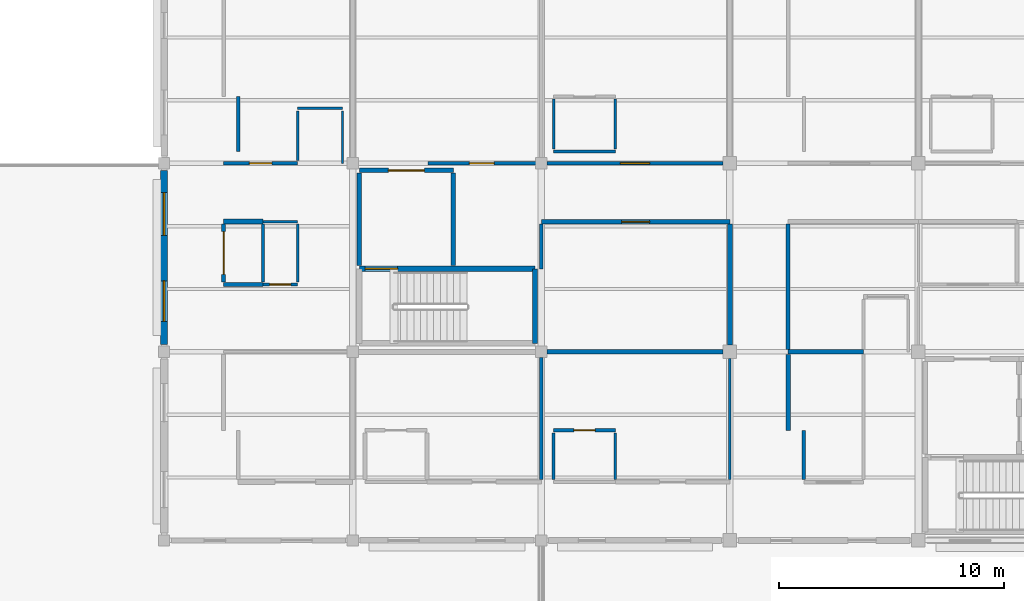
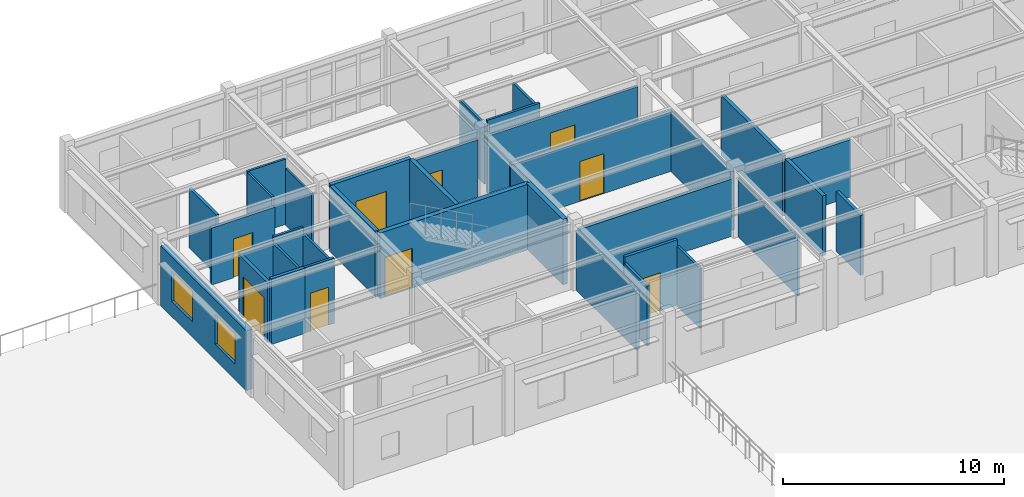
# One storey, part 57 of 86: 36 walls, 9 doors, 2 windows, 11 openings.
"""IFC4 building model written with IfcOpenShell, lengths in metres."""

from ifc_helpers import new_model, si_unit, direction, frame, frame_2d, origin, place, context, subcontext, project, spatial, rectangle, extrude, material, layer, layer_set, type_object, element, fill, save


model = new_model("IFC4")

# Units and contexts
model_context = context("Model", 3, precision=1e-05, world=origin(), true_north=direction((0.0, 1.0)))
body_context = subcontext(model_context, "Body", "Model", "MODEL_VIEW")
ifc_project = project(units=[si_unit("LENGTHUNIT", "METRE"), si_unit("AREAUNIT", "SQUARE_METRE"), si_unit("VOLUMEUNIT", "CUBIC_METRE"), si_unit("PLANEANGLEUNIT", "RADIAN"), si_unit("MASSUNIT", "GRAM", prefix="KILO")], contexts=[model_context])

# Site, building, storey
site_placement = place(None, origin())
site = spatial("IfcSite", under=ifc_project, at=site_placement, CompositionType="ELEMENT")
building_placement = place(site_placement, origin())
building = spatial("IfcBuilding", under=site, at=building_placement, Name="Bramfleet General Hospital", CompositionType="ELEMENT")
storey_placement = place(building_placement, frame((0.0, 0.0, 18.60009765625)))
storey = spatial("IfcBuildingStorey", under=building, at=storey_placement, Name="L04", CompositionType="ELEMENT", Elevation=18.60009765625)

# Wall, openings, windows
ifc_material_1 = material(Name="Precast concrete C40/50", Category="concrete")
ifc_layer_1 = layer(ifc_material_1, 0.31494140625, Name="WT-EW-04")
ifc_layer_set_1 = layer_set([ifc_layer_1], Name="Precast concrete C40/50")
wall_type_1 = type_object("IfcWallType", Name="WT-EW-04", PredefinedType="SOLIDWALL", material=ifc_layer_set_1)
wall_1_placement = place(storey_placement, frame((42.0, 101.125, 0.0), z_axis=(0.0, 0.0, 1.0), x_axis=(0.0, 1.0, 0.0)))
wall_1 = element("IfcWall", 1, at=wall_1_placement, inside=storey, type_object=wall_type_1, Name="L04 Exterior Wall 282", PredefinedType="SOLIDWALL", context=body_context, shape_type="SweptSolid", body=[
    extrude(rectangle(XDim=7.75, YDim=0.31494140625, at=frame_2d((3.875, 0.0))), origin(), (0.0, 0.0, 1.0), 3.2998046875),
])
opening_1_placement = place(wall_1_placement, frame((1.03759765625, 0.0, 0.85009765625)))
opening_1 = element("IfcOpeningElement", 2, at=opening_1_placement, cuts=wall_1, Name="Opening W-38", PredefinedType="OPENING", context=body_context, shape_type="SweptSolid", body=[
    extrude(rectangle(XDim=1.800048828125, YDim=1.659912109375, at=frame_2d((0.89990234375, 0.830078125))), frame((0.0, 0.16748046875, 0.0), z_axis=(0.0, -1.0, 0.0), x_axis=(1.0, 0.0, 0.0)), (0.0, 0.0, 1.0), 0.3349609375),
])
opening_2_placement = place(wall_1_placement, frame((4.862548828125, 0.0, 0.85009765625)))
opening_2 = element("IfcOpeningElement", 3, at=opening_2_placement, cuts=wall_1, Name="Opening W-39", PredefinedType="OPENING", context=body_context, shape_type="SweptSolid", body=[
    extrude(rectangle(XDim=1.89990234375, YDim=1.659912109375, at=frame_2d((0.949951171875, 0.830078125))), frame((0.0, 0.16748046875, 0.0), z_axis=(0.0, -1.0, 0.0), x_axis=(1.0, 0.0, 0.0)), (0.0, 0.0, 1.0), 0.3349609375),
])
ifc_material_2 = material(Name="Anodised aluminium and low-E triple glazing", Category="aluminium")
window_type_1 = type_object("IfcWindowType", Name="WIN-W-38", PartitioningType="SINGLE_PANEL", PredefinedType="WINDOW", material=ifc_material_2)
window_1_placement = place(opening_1_placement, origin())
window_1 = element("IfcWindow", 4, at=window_1_placement, inside=storey, type_object=window_type_1, Name="L04 Facade Window WIN-L04-282-1", OverallHeight=1.659912109375, OverallWidth=1.800048828125, PartitioningType="SINGLE_PANEL", PredefinedType="WINDOW", context=body_context, shape_type="SweptSolid", body=[
    extrude(rectangle(XDim=1.800048828125, YDim=1.659912109375, at=frame_2d((0.89990234375, 0.830078125))), frame((0.0, 0.030029296875, 0.0), z_axis=(0.0, -1.0, 0.0), x_axis=(1.0, 0.0, 0.0)), (0.0, 0.0, 1.0), 0.06005859375),
])
fill(opening_1, window_1)
window_type_2 = type_object("IfcWindowType", Name="WIN-W-39", PartitioningType="SINGLE_PANEL", PredefinedType="WINDOW", material=ifc_material_2)
window_2_placement = place(opening_2_placement, origin())
window_2 = element("IfcWindow", 5, at=window_2_placement, inside=storey, type_object=window_type_2, Name="L04 Facade Window WIN-L04-282-2", OverallHeight=1.659912109375, OverallWidth=1.89990234375, PartitioningType="SINGLE_PANEL", PredefinedType="WINDOW", context=body_context, shape_type="SweptSolid", body=[
    extrude(rectangle(XDim=1.89990234375, YDim=1.659912109375, at=frame_2d((0.949951171875, 0.830078125))), frame((0.0, 0.030029296875, 0.0), z_axis=(0.0, -1.0, 0.0), x_axis=(1.0, 0.0, 0.0)), (0.0, 0.0, 1.0), 0.06005859375),
])
fill(opening_2, window_2)

# Walls
ifc_material_3 = material(Name="Concrete C35/45", Category="concrete")
ifc_layer_2 = layer(ifc_material_3, 0.219970703125, Name="WT-IW-01")
ifc_layer_set_2 = layer_set([ifc_layer_2], Name="Concrete C35/45")
wall_type_2 = type_object("IfcWallType", Name="WT-IW-01", PredefinedType="PARTITIONING", material=ifc_layer_set_2)
wall_2_placement = place(storey_placement, frame((44.64990234375, 106.60009765625, 0.0), z_axis=(0.0, 0.0, 1.0), x_axis=(1.0, 0.0, 0.0)))
element("IfcWall", 6, at=wall_2_placement, inside=storey, type_object=wall_type_2, Name="L04 Interior Partition IW-L04-3229", PredefinedType="PARTITIONING", context=body_context, shape_type="SweptSolid", body=[
    extrude(rectangle(XDim=1.75, YDim=0.219970703125, at=frame_2d((0.875, 0.0))), origin(), (0.0, 0.0, 1.0), 3.2998046875),
])
wall_3_placement = place(storey_placement, frame((67.199951171875, 101.094970703125, 0.0), z_axis=(0.0, 0.0, 1.0), x_axis=(0.0, 1.0, 0.0)))
element("IfcWall", 7, at=wall_3_placement, inside=storey, type_object=wall_type_2, Name="L04 Interior Partition IW-L04-3301", PredefinedType="PARTITIONING", context=body_context, shape_type="SweptSolid", body=[
    extrude(rectangle(XDim=5.39013671875, YDim=0.219970703125, at=frame_2d((2.695068359375, 0.0))), origin(), (0.0, 0.0, 1.0), 3.260009765625),
])
ifc_layer_3 = layer(ifc_material_3, 0.205078125, Name="WT-IW-02")
ifc_layer_set_3 = layer_set([ifc_layer_3], Name="Concrete C35/45")
wall_type_3 = type_object("IfcWallType", Name="WT-IW-02", PredefinedType="PARTITIONING", material=ifc_layer_set_3)
for number, where, z_axis, x_axis, name in (
    (8, (54.8798828125, 104.639892578125, 0.0), (0.0, 0.0, 1.0), (0.0, 1.0, 0.0), "L04 C14 Lobby East Shaft Wall"),
    (9, (50.699951171875, 104.639892578125, 0.0), (0.0, 0.0, 1.0), (0.0, 1.0, 0.0), "L04 C14 Lobby West Compartment Wall"),
):
    element("IfcWall", number, at=place(storey_placement, frame(where, z_axis=z_axis, x_axis=x_axis)), inside=storey, type_object=wall_type_3, Name=name, PredefinedType="PARTITIONING", context=body_context, shape_type="SweptSolid", body=[
        extrude(rectangle(XDim=4.1201171875, YDim=0.205078125, at=frame_2d((2.06005859375, 0.0))), origin(), (0.0, 0.0, 1.0), 3.60986328125),
    ])

# Wall, opening, door
wall_4_placement = place(storey_placement, frame((50.699951171875, 108.8798828125, 0.0), z_axis=(0.0, 0.0, 1.0), x_axis=(1.0, 0.0, 0.0)))
wall_4 = element("IfcWall", 10, at=wall_4_placement, inside=storey, type_object=wall_type_3, Name="L04 C14 Lobby North Compartment Wall", PredefinedType="PARTITIONING", context=body_context, shape_type="SweptSolid", body=[
    extrude(rectangle(XDim=4.179931640625, YDim=0.205078125, at=frame_2d((2.08984375, 0.0))), origin(), (0.0, 0.0, 1.0), 3.60986328125),
])
opening_3_placement = place(wall_4_placement, frame((1.2900390625, 0.0, 0.0)))
opening_3 = element("IfcOpeningElement", 11, at=opening_3_placement, cuts=wall_4, Name="Opening D0186", PredefinedType="OPENING", context=body_context, shape_type="SweptSolid", body=[
    extrude(rectangle(XDim=1.60009765625, YDim=2.25, at=frame_2d((0.800048828125, 1.125))), frame((0.0, 0.112548828125, 0.0), z_axis=(0.0, -1.0, 0.0), x_axis=(1.0, 0.0, 0.0)), (0.0, 0.0, 1.0), 0.22509765625),
])
ifc_material_4 = material(Name="Stainless steel and acoustic timber leaf", Category="steel")
door_type_1 = type_object("IfcDoorType", Name="DR-D-04", OperationType="NOTDEFINED", PredefinedType="DOOR", material=ifc_material_4)
door_1_placement = place(opening_3_placement, origin())
door_1 = element("IfcDoor", 12, at=door_1_placement, inside=storey, type_object=door_type_1, Name="L04 C14 Lobby Fire Door D0186", OperationType="DOUBLE_SWING_LEFT", OverallHeight=2.25, OverallWidth=1.60009765625, PredefinedType="DOOR", context=body_context, shape_type="SweptSolid", body=[
    extrude(rectangle(XDim=1.60009765625, YDim=2.25, at=frame_2d((0.800048828125, 1.125))), frame((0.0, 0.02490234375, 0.0), z_axis=(0.0, -1.0, 0.0), x_axis=(1.0, 0.0, 0.0)), (0.0, 0.0, 1.0), 0.050048828125),
])
fill(opening_3, door_1)

# Walls
wall_5_placement = place(storey_placement, frame((59.044921875, 100.800048828125, 0.0), z_axis=(0.0, 0.0, 1.0), x_axis=(1.0, 0.0, 0.0)))
element("IfcWall", 13, at=wall_5_placement, inside=storey, type_object=wall_type_3, Name="L04 Interior Partition IW-L04-3206", PredefinedType="PARTITIONING", context=body_context, shape_type="SweptSolid", body=[
    extrude(rectangle(XDim=7.860107421875, YDim=0.205078125, at=frame_2d((3.93017578125, 0.0))), origin(), (0.0, 0.0, 1.0), 3.159912109375),
])
ifc_layer_4 = layer(ifc_material_3, 0.18994140625, Name="WT-IW-03")
ifc_layer_set_4 = layer_set([ifc_layer_4], Name="Concrete C35/45")
wall_type_4 = type_object("IfcWallType", Name="WT-IW-03", PredefinedType="PARTITIONING", material=ifc_layer_set_4)
wall_6_placement = place(storey_placement, frame((69.800048828125, 100.800048828125, 0.0), z_axis=(0.0, 0.0, 1.0), x_axis=(1.0, 0.0, 0.0)))
element("IfcWall", 14, at=wall_6_placement, inside=storey, type_object=wall_type_4, Name="L04 Interior Partition IW-L04-3207", PredefinedType="PARTITIONING", context=body_context, shape_type="SweptSolid", body=[
    extrude(rectangle(XDim=3.349853515625, YDim=0.18994140625, at=frame_2d((1.6748046875, 0.0))), origin(), (0.0, 0.0, 1.0), 3.159912109375),
])

# Wall, opening, door
wall_7_placement = place(storey_placement, frame((58.800048828125, 106.60009765625, 0.0), z_axis=(0.0, 0.0, 1.0), x_axis=(1.0, 0.0, 0.0)))
wall_7 = element("IfcWall", 15, at=wall_7_placement, inside=storey, type_object=wall_type_4, Name="L04 Interior Partition IW-L04-3231", PredefinedType="PARTITIONING", context=body_context, shape_type="SweptSolid", body=[
    extrude(rectangle(XDim=8.39990234375, YDim=0.18994140625, at=frame_2d((4.199951171875, 0.0))), origin(), (0.0, 0.0, 1.0), 3.260009765625),
])
opening_4_placement = place(wall_7_placement, frame((3.574951171875, 0.0, 0.0)))
opening_4 = element("IfcOpeningElement", 16, at=opening_4_placement, cuts=wall_7, Name="Opening D1230", PredefinedType="OPENING", context=body_context, shape_type="SweptSolid", body=[
    extrude(rectangle(XDim=1.25, YDim=2.199951171875, at=frame_2d((0.625, 1.10009765625))), frame((0.0, 0.10498046875, 0.0), z_axis=(0.0, -1.0, 0.0), x_axis=(1.0, 0.0, 0.0)), (0.0, 0.0, 1.0), 0.2099609375),
])
door_type_2 = type_object("IfcDoorType", Name="DR-D-14", OperationType="NOTDEFINED", PredefinedType="DOOR", material=ifc_material_4)
door_2_placement = place(opening_4_placement, origin())
door_2 = element("IfcDoor", 17, at=door_2_placement, inside=storey, type_object=door_type_2, Name="Ward Linen and Clean Utility L04-0712 Door D1230", OperationType="SINGLE_SWING_LEFT", OverallHeight=2.199951171875, OverallWidth=1.25, PredefinedType="DOOR", context=body_context, shape_type="SweptSolid", body=[
    extrude(rectangle(XDim=1.25, YDim=2.199951171875, at=frame_2d((0.625, 1.10009765625))), frame((0.0, 0.02490234375, 0.0), z_axis=(0.0, -1.0, 0.0), x_axis=(1.0, 0.0, 0.0)), (0.0, 0.0, 1.0), 0.050048828125),
])
fill(opening_4, door_2)

# Walls
wall_8_placement = place(storey_placement, frame((69.800048828125, 97.300048828125, 0.0), z_axis=(0.0, 0.0, 1.0), x_axis=(0.0, 1.0, 0.0)))
element("IfcWall", 18, at=wall_8_placement, inside=storey, type_object=wall_type_4, Name="L04 Interior Partition IW-L04-3303", PredefinedType="PARTITIONING", context=body_context, shape_type="SweptSolid", body=[
    extrude(rectangle(XDim=3.385009765625, YDim=0.18994140625, at=frame_2d((1.6923828125, 0.0))), origin(), (0.0, 0.0, 1.0), 3.309814453125),
])
ifc_layer_5 = layer(ifc_material_3, 0.179931640625, Name="WT-IW-04")
ifc_layer_set_5 = layer_set([ifc_layer_5], Name="Concrete C35/45")
wall_type_5 = type_object("IfcWallType", Name="WT-IW-04", PredefinedType="PARTITIONING", material=ifc_layer_set_5)
wall_9_placement = place(storey_placement, frame((69.800048828125, 100.9150390625, 0.0), z_axis=(0.0, 0.0, 1.0), x_axis=(0.0, 1.0, 0.0)))
element("IfcWall", 19, at=wall_9_placement, inside=storey, type_object=wall_type_5, Name="L04 Interior Partition IW-L04-3304", PredefinedType="PARTITIONING", context=body_context, shape_type="SweptSolid", body=[
    extrude(rectangle(XDim=5.570068359375, YDim=0.179931640625, at=frame_2d((2.78515625, 0.0))), origin(), (0.0, 0.0, 1.0), 3.309814453125),
])
ifc_material_5 = material(Name="Gypsum plasterboard on acoustic steel studs", Category="steel")
ifc_layer_6 = layer(ifc_material_5, 0.169921875, Name="WT-IW-05")
ifc_layer_set_6 = layer_set([ifc_layer_6], Name="Gypsum plasterboard on acoustic steel studs")
wall_type_6 = type_object("IfcWallType", Name="WT-IW-05", PredefinedType="PARTITIONING", material=ifc_layer_set_6)
wall_10_placement = place(storey_placement, frame((44.64990234375, 103.800048828125, 0.0), z_axis=(0.0, 0.0, 1.0), x_axis=(1.0, 0.0, 0.0)))
element("IfcWall", 20, at=wall_10_placement, inside=storey, type_object=wall_type_6, Name="L04 Interior Partition IW-L04-3221", PredefinedType="PARTITIONING", context=body_context, shape_type="SweptSolid", body=[
    extrude(rectangle(XDim=1.75, YDim=0.169921875, at=frame_2d((0.875, 0.0))), origin(), (0.0, 0.0, 1.0), 3.60986328125),
])

# Wall, opening, door
wall_11_placement = place(storey_placement, frame((44.64990234375, 109.199951171875, 0.0), z_axis=(0.0, 0.0, 1.0), x_axis=(1.0, 0.0, 0.0)))
wall_11 = element("IfcWall", 21, at=wall_11_placement, inside=storey, type_object=wall_type_6, Name="L04 Interior Partition IW-L04-3245", PredefinedType="PARTITIONING", context=body_context, shape_type="SweptSolid", body=[
    extrude(rectangle(XDim=3.300048828125, YDim=0.169921875, at=frame_2d((1.64990234375, 0.0))), origin(), (0.0, 0.0, 1.0), 3.14990234375),
])
opening_5_placement = place(wall_11_placement, frame((1.14990234375, 0.0, 0.0)))
opening_5 = element("IfcOpeningElement", 22, at=opening_5_placement, cuts=wall_11, Name="Opening D1224", PredefinedType="OPENING", context=body_context, shape_type="SweptSolid", body=[
    extrude(rectangle(XDim=1.0, YDim=2.14990234375, at=frame_2d((0.5, 1.074951171875))), frame((0.0, 0.094970703125, 0.0), z_axis=(0.0, -1.0, 0.0), x_axis=(1.0, 0.0, 0.0)), (0.0, 0.0, 1.0), 0.18994140625),
])
door_type_3 = type_object("IfcDoorType", Name="DR-D-08", OperationType="NOTDEFINED", PredefinedType="DOOR", material=ifc_material_4)
door_3_placement = place(opening_5_placement, origin())
door_3 = element("IfcDoor", 23, at=door_3_placement, inside=storey, type_object=door_type_3, Name="Surgical Inpatient Ward Bedroom L04-0513 Door D1224", OperationType="SINGLE_SWING_LEFT", OverallHeight=2.14990234375, OverallWidth=1.0, PredefinedType="DOOR", context=body_context, shape_type="SweptSolid", body=[
    extrude(rectangle(XDim=1.0, YDim=2.14990234375, at=frame_2d((0.5, 1.074951171875))), frame((0.0, 0.02490234375, 0.0), z_axis=(0.0, -1.0, 0.0), x_axis=(1.0, 0.0, 0.0)), (0.0, 0.0, 1.0), 0.050048828125),
])
fill(opening_5, door_3)

wall_12_placement = place(storey_placement, frame((44.64990234375, 103.9150390625, 0.0), z_axis=(0.0, 0.0, 1.0), x_axis=(0.0, 1.0, 0.0)))
wall_12 = element("IfcWall", 24, at=wall_12_placement, inside=storey, type_object=wall_type_6, Name="L04 Interior Partition IW-L04-3281", PredefinedType="PARTITIONING", context=body_context, shape_type="SweptSolid", body=[
    extrude(rectangle(XDim=2.570068359375, YDim=0.169921875, at=frame_2d((1.28515625, 0.0))), origin(), (0.0, 0.0, 1.0), 3.2998046875),
])
opening_6_placement = place(wall_12_placement, frame((0.3349609375, 0.0, 0.0)))
opening_6 = element("IfcOpeningElement", 25, at=opening_6_placement, cuts=wall_12, Name="Opening D1222", PredefinedType="OPENING", context=body_context, shape_type="SweptSolid", body=[
    extrude(rectangle(XDim=1.89990234375, YDim=2.300048828125, at=frame_2d((0.949951171875, 1.14990234375))), frame((0.0, 0.094970703125, 0.0), z_axis=(0.0, -1.0, 0.0), x_axis=(1.0, 0.0, 0.0)), (0.0, 0.0, 1.0), 0.18994140625),
])
door_type_4 = type_object("IfcDoorType", Name="DR-D-06", OperationType="NOTDEFINED", PredefinedType="DOOR", material=ifc_material_4)
door_4_placement = place(opening_6_placement, origin())
door_4 = element("IfcDoor", 26, at=door_4_placement, inside=storey, type_object=door_type_4, Name="Clean Medication and Treatment Room L04-0512 Door D1222", OperationType="DOUBLE_SWING_LEFT", OverallHeight=2.300048828125, OverallWidth=1.89990234375, PredefinedType="DOOR", context=body_context, shape_type="SweptSolid", body=[
    extrude(rectangle(XDim=1.89990234375, YDim=2.300048828125, at=frame_2d((0.949951171875, 1.14990234375))), frame((0.0, 0.02490234375, 0.0), z_axis=(0.0, -1.0, 0.0), x_axis=(1.0, 0.0, 0.0)), (0.0, 0.0, 1.0), 0.050048828125),
])
fill(opening_6, door_4)

# Wall
wall_13_placement = place(storey_placement, frame((58.800048828125, 95.114990234375, 0.0), z_axis=(0.0, 0.0, 1.0), x_axis=(0.0, 1.0, 0.0)))
element("IfcWall", 27, at=wall_13_placement, inside=storey, type_object=wall_type_6, Name="L04 Interior Partition IW-L04-3293", PredefinedType="PARTITIONING", context=body_context, shape_type="SweptSolid", body=[
    extrude(rectangle(XDim=5.43994140625, YDim=0.169921875, at=frame_2d((2.719970703125, 0.0))), origin(), (0.0, 0.0, 1.0), 3.260009765625),
])

# Wall, opening, door
ifc_layer_7 = layer(ifc_material_5, 0.159912109375, Name="WT-IW-06")
ifc_layer_set_7 = layer_set([ifc_layer_7], Name="Gypsum plasterboard on acoustic steel studs")
wall_type_7 = type_object("IfcWallType", Name="WT-IW-06", PredefinedType="PARTITIONING", material=ifc_layer_set_7)
wall_14_placement = place(storey_placement, frame((53.75, 109.199951171875, 0.0), z_axis=(0.0, 0.0, 1.0), x_axis=(1.0, 0.0, 0.0)))
wall_14 = element("IfcWall", 28, at=wall_14_placement, inside=storey, type_object=wall_type_7, Name="L04 Interior Partition IW-L04-3246", PredefinedType="PARTITIONING", context=body_context, shape_type="SweptSolid", body=[
    extrude(rectangle(XDim=4.804931640625, YDim=0.159912109375, at=frame_2d((2.40234375, 0.0))), origin(), (0.0, 0.0, 1.0), 3.159912109375),
])
opening_7_placement = place(wall_14_placement, frame((1.8525390625, 0.0, 0.0)))
opening_7 = element("IfcOpeningElement", 29, at=opening_7_placement, cuts=wall_14, Name="Opening D1227", PredefinedType="OPENING", context=body_context, shape_type="SweptSolid", body=[
    extrude(rectangle(XDim=1.10009765625, YDim=2.14990234375, at=frame_2d((0.550048828125, 1.074951171875))), frame((0.0, 0.08984375, 0.0), z_axis=(0.0, -1.0, 0.0), x_axis=(1.0, 0.0, 0.0)), (0.0, 0.0, 1.0), 0.179931640625),
])
door_type_5 = type_object("IfcDoorType", Name="DR-D-11", OperationType="NOTDEFINED", PredefinedType="DOOR", material=ifc_material_4)
door_5_placement = place(opening_7_placement, origin())
door_5 = element("IfcDoor", 30, at=door_5_placement, inside=storey, type_object=door_type_5, Name="Surgical Inpatient Ward Bedroom L04-0613 Door D1227", OperationType="SINGLE_SWING_RIGHT", OverallHeight=2.14990234375, OverallWidth=1.10009765625, PredefinedType="DOOR", context=body_context, shape_type="SweptSolid", body=[
    extrude(rectangle(XDim=1.10009765625, YDim=2.14990234375, at=frame_2d((0.550048828125, 1.074951171875))), frame((0.0, 0.02490234375, 0.0), z_axis=(0.0, -1.0, 0.0), x_axis=(1.0, 0.0, 0.0)), (0.0, 0.0, 1.0), 0.050048828125),
])
fill(opening_7, door_5)

# Walls
wall_15_placement = place(storey_placement, frame((58.800048828125, 104.5, 0.0), z_axis=(0.0, 0.0, 1.0), x_axis=(0.0, 1.0, 0.0)))
element("IfcWall", 31, at=wall_15_placement, inside=storey, type_object=wall_type_7, Name="L04 Interior Partition IW-L04-3294", PredefinedType="PARTITIONING", context=body_context, shape_type="SweptSolid", body=[
    extrude(rectangle(XDim=1.985107421875, YDim=0.159912109375, at=frame_2d((0.99267578125, 0.0))), origin(), (0.0, 0.0, 1.0), 3.260009765625),
])
wall_16_placement = place(storey_placement, frame((70.5, 95.114990234375, 0.0), z_axis=(0.0, 0.0, 1.0), x_axis=(0.0, 1.0, 0.0)))
element("IfcWall", 32, at=wall_16_placement, inside=storey, type_object=wall_type_7, Name="L04 Interior Partition IW-L04-3306", PredefinedType="PARTITIONING", context=body_context, shape_type="SweptSolid", body=[
    extrude(rectangle(XDim=2.18505859375, YDim=0.159912109375, at=frame_2d((1.092529296875, 0.0))), origin(), (0.0, 0.0, 1.0), 3.309814453125),
])

# Wall, opening, door
ifc_layer_8 = layer(ifc_material_5, 0.14990234375, Name="WT-IW-07")
ifc_layer_set_8 = layer_set([ifc_layer_8], Name="Gypsum plasterboard on acoustic steel studs")
wall_type_8 = type_object("IfcWallType", Name="WT-IW-07", PredefinedType="PARTITIONING", material=ifc_layer_set_8)
wall_17_placement = place(storey_placement, frame((59.35009765625, 97.300048828125, 0.0), z_axis=(0.0, 0.0, 1.0), x_axis=(1.0, 0.0, 0.0)))
wall_17 = element("IfcWall", 33, at=wall_17_placement, inside=storey, type_object=wall_type_8, Name="L04 Interior Partition IW-L04-3199", PredefinedType="PARTITIONING", context=body_context, shape_type="SweptSolid", body=[
    extrude(rectangle(XDim=2.75, YDim=0.14990234375, at=frame_2d((1.375, 0.0))), origin(), (0.0, 0.0, 1.0), 3.60986328125),
])
opening_8_placement = place(wall_17_placement, frame((0.89990234375, 0.0, 0.0)))
opening_8 = element("IfcOpeningElement", 34, at=opening_8_placement, cuts=wall_17, Name="Opening D1229", PredefinedType="OPENING", context=body_context, shape_type="SweptSolid", body=[
    extrude(rectangle(XDim=0.949951171875, YDim=2.10009765625, at=frame_2d((0.47509765625, 1.050048828125))), frame((0.0, 0.0849609375, 0.0), z_axis=(0.0, -1.0, 0.0), x_axis=(1.0, 0.0, 0.0)), (0.0, 0.0, 1.0), 0.169921875),
])
door_type_6 = type_object("IfcDoorType", Name="DR-D-10", OperationType="NOTDEFINED", PredefinedType="DOOR", material=ifc_material_4)
door_6_placement = place(opening_8_placement, origin())
door_6 = element("IfcDoor", 35, at=door_6_placement, inside=storey, type_object=door_type_6, Name="En-Suite Bathroom L04-0711 Door D1229", OperationType="SINGLE_SWING_LEFT", OverallHeight=2.10009765625, OverallWidth=0.949951171875, PredefinedType="DOOR", context=body_context, shape_type="SweptSolid", body=[
    extrude(rectangle(XDim=0.949951171875, YDim=2.10009765625, at=frame_2d((0.47509765625, 1.050048828125))), frame((0.0, 0.02490234375, 0.0), z_axis=(0.0, -1.0, 0.0), x_axis=(1.0, 0.0, 0.0)), (0.0, 0.0, 1.0), 0.050048828125),
])
fill(opening_8, door_6)

wall_18_placement = place(storey_placement, frame((59.044921875, 109.199951171875, 0.0), z_axis=(0.0, 0.0, 1.0), x_axis=(1.0, 0.0, 0.0)))
wall_18 = element("IfcWall", 36, at=wall_18_placement, inside=storey, type_object=wall_type_8, Name="L04 Interior Partition IW-L04-3247", PredefinedType="PARTITIONING", context=body_context, shape_type="SweptSolid", body=[
    extrude(rectangle(XDim=7.860107421875, YDim=0.14990234375, at=frame_2d((3.93017578125, 0.0))), origin(), (0.0, 0.0, 1.0), 3.159912109375),
])
opening_9_placement = place(wall_18_placement, frame((3.280029296875, 0.0, 0.0)))
opening_9 = element("IfcOpeningElement", 37, at=opening_9_placement, cuts=wall_18, Name="Opening D1231", PredefinedType="OPENING", context=body_context, shape_type="SweptSolid", body=[
    extrude(rectangle(XDim=1.300048828125, YDim=2.199951171875, at=frame_2d((0.64990234375, 1.10009765625))), frame((0.0, 0.0849609375, 0.0), z_axis=(0.0, -1.0, 0.0), x_axis=(1.0, 0.0, 0.0)), (0.0, 0.0, 1.0), 0.169921875),
])
door_type_7 = type_object("IfcDoorType", Name="DR-D-15", OperationType="NOTDEFINED", PredefinedType="DOOR", material=ifc_material_4)
door_7_placement = place(opening_9_placement, origin())
door_7 = element("IfcDoor", 38, at=door_7_placement, inside=storey, type_object=door_type_7, Name="Surgical Inpatient Ward Bedroom L04-0713 Door D1231", OperationType="SINGLE_SWING_RIGHT", OverallHeight=2.199951171875, OverallWidth=1.300048828125, PredefinedType="DOOR", context=body_context, shape_type="SweptSolid", body=[
    extrude(rectangle(XDim=1.300048828125, YDim=2.199951171875, at=frame_2d((0.64990234375, 1.10009765625))), frame((0.0, 0.02490234375, 0.0), z_axis=(0.0, -1.0, 0.0), x_axis=(1.0, 0.0, 0.0)), (0.0, 0.0, 1.0), 0.050048828125),
])
fill(opening_9, door_7)

# Walls
ifc_layer_9 = layer(ifc_material_5, 0.139892578125, Name="WT-IW-08")
ifc_layer_set_9 = layer_set([ifc_layer_9], Name="Gypsum plasterboard on acoustic steel studs")
wall_type_9 = type_object("IfcWallType", Name="WT-IW-08", PredefinedType="PARTITIONING", material=ifc_layer_set_9)
wall_19_placement = place(storey_placement, frame((45.300048828125, 109.719970703125, 0.0), z_axis=(0.0, 0.0, 1.0), x_axis=(0.0, 1.0, 0.0)))
element("IfcWall", 39, at=wall_19_placement, inside=storey, type_object=wall_type_9, Name="L04 Interior Partition IW-L04-3284", PredefinedType="PARTITIONING", context=body_context, shape_type="SweptSolid", body=[
    extrude(rectangle(XDim=2.449951171875, YDim=0.139892578125, at=frame_2d((1.22509765625, 0.0))), origin(), (0.0, 0.0, 1.0), 3.2998046875),
])
wall_20_placement = place(storey_placement, frame((59.35009765625, 95.114990234375, 0.0), z_axis=(0.0, 0.0, 1.0), x_axis=(0.0, 1.0, 0.0)))
element("IfcWall", 40, at=wall_20_placement, inside=storey, type_object=wall_type_9, Name="L04 Interior Partition IW-L04-3296", PredefinedType="PARTITIONING", context=body_context, shape_type="SweptSolid", body=[
    extrude(rectangle(XDim=2.070068359375, YDim=0.139892578125, at=frame_2d((1.03515625, 0.0))), origin(), (0.0, 0.0, 1.0), 3.309814453125),
])
ifc_layer_10 = layer(ifc_material_5, 0.1298828125, Name="WT-IW-09")
ifc_layer_set_10 = layer_set([ifc_layer_10], Name="Gypsum plasterboard on acoustic steel studs")
wall_type_10 = type_object("IfcWallType", Name="WT-IW-09", PredefinedType="PARTITIONING", material=ifc_layer_set_10)
wall_21_placement = place(storey_placement, frame((46.39990234375, 103.9150390625, 0.0), z_axis=(0.0, 0.0, 1.0), x_axis=(0.0, 1.0, 0.0)))
element("IfcWall", 41, at=wall_21_placement, inside=storey, type_object=wall_type_10, Name="L04 Interior Partition IW-L04-3285", PredefinedType="PARTITIONING", context=body_context, shape_type="SweptSolid", body=[
    extrude(rectangle(XDim=2.570068359375, YDim=0.1298828125, at=frame_2d((1.28515625, 0.0))), origin(), (0.0, 0.0, 1.0), 3.2998046875),
])

# Wall, opening, door
ifc_layer_11 = layer(ifc_material_5, 0.1201171875, Name="WT-IW-10")
ifc_layer_set_11 = layer_set([ifc_layer_11], Name="Gypsum plasterboard on acoustic steel studs")
wall_type_11 = type_object("IfcWallType", Name="WT-IW-10", PredefinedType="PARTITIONING", material=ifc_layer_set_11)
wall_22_placement = place(storey_placement, frame((46.39990234375, 103.800048828125, 0.0), z_axis=(0.0, 0.0, 1.0), x_axis=(1.0, 0.0, 0.0)))
wall_22 = element("IfcWall", 42, at=wall_22_placement, inside=storey, type_object=wall_type_11, Name="L04 Interior Partition IW-L04-3222", PredefinedType="PARTITIONING", context=body_context, shape_type="SweptSolid", body=[
    extrude(rectangle(XDim=1.550048828125, YDim=0.1201171875, at=frame_2d((0.77490234375, 0.0))), origin(), (0.0, 0.0, 1.0), 3.60986328125),
])
opening_10_placement = place(wall_22_placement, frame((0.300048828125, 0.0, 0.0)))
opening_10 = element("IfcOpeningElement", 43, at=opening_10_placement, cuts=wall_22, Name="Opening D1223", PredefinedType="OPENING", context=body_context, shape_type="SweptSolid", body=[
    extrude(rectangle(XDim=0.949951171875, YDim=2.10009765625, at=frame_2d((0.47509765625, 1.050048828125))), frame((0.0, 0.070068359375, 0.0), z_axis=(0.0, -1.0, 0.0), x_axis=(1.0, 0.0, 0.0)), (0.0, 0.0, 1.0), 0.14013671875),
])
door_8_placement = place(opening_10_placement, origin())
door_8 = element("IfcDoor", 44, at=door_8_placement, inside=storey, type_object=door_type_6, Name="L04 Accessible and Staff WC 0512 Door D1223", OperationType="SINGLE_SWING_LEFT", OverallHeight=2.10009765625, OverallWidth=0.949951171875, PredefinedType="DOOR", context=body_context, shape_type="SweptSolid", body=[
    extrude(rectangle(XDim=0.949951171875, YDim=2.10009765625, at=frame_2d((0.47509765625, 1.050048828125))), frame((0.0, 0.02490234375, 0.0), z_axis=(0.0, -1.0, 0.0), x_axis=(1.0, 0.0, 0.0)), (0.0, 0.0, 1.0), 0.050048828125),
])
fill(opening_10, door_8)

# Walls
wall_23_placement = place(storey_placement, frame((46.39990234375, 106.60009765625, 0.0), z_axis=(0.0, 0.0, 1.0), x_axis=(1.0, 0.0, 0.0)))
element("IfcWall", 45, at=wall_23_placement, inside=storey, type_object=wall_type_11, Name="L04 Interior Partition IW-L04-3230", PredefinedType="PARTITIONING", context=body_context, shape_type="SweptSolid", body=[
    extrude(rectangle(XDim=1.550048828125, YDim=0.1201171875, at=frame_2d((0.77490234375, 0.0))), origin(), (0.0, 0.0, 1.0), 3.60986328125),
])
wall_24_placement = place(storey_placement, frame((59.35009765625, 109.719970703125, 0.0), z_axis=(0.0, 0.0, 1.0), x_axis=(1.0, 0.0, 0.0)))
element("IfcWall", 46, at=wall_24_placement, inside=storey, type_object=wall_type_11, Name="L04 Interior Partition IW-L04-3255", PredefinedType="PARTITIONING", context=body_context, shape_type="SweptSolid", body=[
    extrude(rectangle(XDim=2.75, YDim=0.1201171875, at=frame_2d((1.375, 0.0))), origin(), (0.0, 0.0, 1.0), 3.60986328125),
])
wall_25_placement = place(storey_placement, frame((47.949951171875, 103.9150390625, 0.0), z_axis=(0.0, 0.0, 1.0), x_axis=(0.0, 1.0, 0.0)))
element("IfcWall", 47, at=wall_25_placement, inside=storey, type_object=wall_type_11, Name="L04 Interior Partition IW-L04-3286", PredefinedType="PARTITIONING", context=body_context, shape_type="SweptSolid", body=[
    extrude(rectangle(XDim=2.570068359375, YDim=0.1201171875, at=frame_2d((1.28515625, 0.0))), origin(), (0.0, 0.0, 1.0), 3.2998046875),
])
wall_26_placement = place(storey_placement, frame((59.35009765625, 109.8349609375, 0.0), z_axis=(0.0, 0.0, 1.0), x_axis=(0.0, 1.0, 0.0)))
element("IfcWall", 48, at=wall_26_placement, inside=storey, type_object=wall_type_11, Name="L04 Interior Partition IW-L04-3297", PredefinedType="PARTITIONING", context=body_context, shape_type="SweptSolid", body=[
    extrude(rectangle(XDim=2.219970703125, YDim=0.1201171875, at=frame_2d((1.10986328125, 0.0))), origin(), (0.0, 0.0, 1.0), 3.309814453125),
])
wall_27_placement = place(storey_placement, frame((62.10009765625, 95.114990234375, 0.0), z_axis=(0.0, 0.0, 1.0), x_axis=(0.0, 1.0, 0.0)))
element("IfcWall", 49, at=wall_27_placement, inside=storey, type_object=wall_type_11, Name="L04 Interior Partition IW-L04-3298", PredefinedType="PARTITIONING", context=body_context, shape_type="SweptSolid", body=[
    extrude(rectangle(XDim=2.070068359375, YDim=0.1201171875, at=frame_2d((1.03515625, 0.0))), origin(), (0.0, 0.0, 1.0), 3.309814453125),
])
wall_28_placement = place(storey_placement, frame((62.10009765625, 109.8349609375, 0.0), z_axis=(0.0, 0.0, 1.0), x_axis=(0.0, 1.0, 0.0)))
element("IfcWall", 50, at=wall_28_placement, inside=storey, type_object=wall_type_11, Name="L04 Interior Partition IW-L04-3299", PredefinedType="PARTITIONING", context=body_context, shape_type="SweptSolid", body=[
    extrude(rectangle(XDim=2.219970703125, YDim=0.1201171875, at=frame_2d((1.10986328125, 0.0))), origin(), (0.0, 0.0, 1.0), 3.309814453125),
])
ifc_layer_12 = layer(ifc_material_5, 0.112060546875, Name="WT-IW-11")
ifc_layer_set_12 = layer_set([ifc_layer_12], Name="Gypsum plasterboard on acoustic steel studs")
wall_type_12 = type_object("IfcWallType", Name="WT-IW-11", PredefinedType="PARTITIONING", material=ifc_layer_set_12)
wall_29_placement = place(storey_placement, frame((47.949951171875, 111.64990234375, 0.0), z_axis=(0.0, 0.0, 1.0), x_axis=(1.0, 0.0, 0.0)))
element("IfcWall", 51, at=wall_29_placement, inside=storey, type_object=wall_type_12, Name="L04 Interior Partition IW-L04-3263", PredefinedType="PARTITIONING", context=body_context, shape_type="SweptSolid", body=[
    extrude(rectangle(XDim=2.0, YDim=0.112060546875, at=frame_2d((1.0, 0.0))), origin(), (0.0, 0.0, 1.0), 3.60986328125),
])
wall_30_placement = place(storey_placement, frame((47.949951171875, 109.31494140625, 0.0), z_axis=(0.0, 0.0, 1.0), x_axis=(0.0, 1.0, 0.0)))
element("IfcWall", 52, at=wall_30_placement, inside=storey, type_object=wall_type_12, Name="L04 Interior Partition IW-L04-3287", PredefinedType="PARTITIONING", context=body_context, shape_type="SweptSolid", body=[
    extrude(rectangle(XDim=2.219970703125, YDim=0.112060546875, at=frame_2d((1.10986328125, 0.0))), origin(), (0.0, 0.0, 1.0), 3.60986328125),
])
ifc_layer_13 = layer(ifc_material_5, 0.10009765625, Name="WT-IW-12")
ifc_layer_set_13 = layer_set([ifc_layer_13], Name="Gypsum plasterboard on acoustic steel studs")
wall_type_13 = type_object("IfcWallType", Name="WT-IW-12", PredefinedType="PARTITIONING", material=ifc_layer_set_13)
wall_31_placement = place(storey_placement, frame((49.949951171875, 109.199951171875, 0.0), z_axis=(0.0, 0.0, 1.0), x_axis=(0.0, 1.0, 0.0)))
element("IfcWall", 53, at=wall_31_placement, inside=storey, type_object=wall_type_13, Name="L04 Interior Partition IW-L04-3288", PredefinedType="PARTITIONING", context=body_context, shape_type="SweptSolid", body=[
    extrude(rectangle(XDim=2.3349609375, YDim=0.10009765625, at=frame_2d((1.16748046875, 0.0))), origin(), (0.0, 0.0, 1.0), 3.14990234375),
])
wall_32_placement = place(storey_placement, frame((67.199951171875, 95.114990234375, 0.0), z_axis=(0.0, 0.0, 1.0), x_axis=(0.0, 1.0, 0.0)))
element("IfcWall", 54, at=wall_32_placement, inside=storey, type_object=wall_type_13, Name="L04 Interior Partition IW-L04-3300", PredefinedType="PARTITIONING", context=body_context, shape_type="SweptSolid", body=[
    extrude(rectangle(XDim=5.389892578125, YDim=0.10009765625, at=frame_2d((2.69482421875, 0.0))), origin(), (0.0, 0.0, 1.0), 3.260009765625),
])
ifc_material_6 = material(Name="Concrete C40/50", Category="concrete")
ifc_layer_14 = layer(ifc_material_6, 0.239990234375, Name="WT-SW-240")
ifc_layer_set_14 = layer_set([ifc_layer_14], Name="Concrete C40/50")
wall_type_14 = type_object("IfcWallType", Name="WT-SW-240", PredefinedType="SHEAR", material=ifc_layer_set_14)
wall_33_placement = place(storey_placement, frame((58.52001953125, 101.179931640625, 0.0), z_axis=(0.0, 0.0, 1.0), x_axis=(0.0, 1.0, 0.0)))
element("IfcWall", 55, at=wall_33_placement, inside=storey, type_object=wall_type_14, Name="L04 C14 East Stair Shear Wall", PredefinedType="SHEAR", context=body_context, shape_type="SweptSolid", body=[
    extrude(rectangle(XDim=3.320068359375, YDim=0.239990234375, at=frame_2d((1.66015625, 0.0))), origin(), (0.0, 0.0, 1.0), 3.619873046875),
])

# Wall, opening, door
wall_34_placement = place(storey_placement, frame((50.699951171875, 104.5, 0.0), z_axis=(0.0, 0.0, 1.0), x_axis=(1.0, 0.0, 0.0)))
wall_34 = element("IfcWall", 56, at=wall_34_placement, inside=storey, type_object=wall_type_14, Name="L04 C14 Stair-Lobby Shear Wall", PredefinedType="SHEAR", context=body_context, shape_type="SweptSolid", body=[
    extrude(rectangle(XDim=7.820068359375, YDim=0.239990234375, at=frame_2d((3.91015625, 0.0))), origin(), (0.0, 0.0, 1.0), 3.619873046875),
])
opening_11_placement = place(wall_34_placement, frame((0.25, 0.0, 0.0)))
opening_11 = element("IfcOpeningElement", 57, at=opening_11_placement, cuts=wall_34, Name="Opening D0185", PredefinedType="OPENING", context=body_context, shape_type="SweptSolid", body=[
    extrude(rectangle(XDim=1.449951171875, YDim=2.199951171875, at=frame_2d((0.72509765625, 1.10009765625))), frame((0.0, 0.1298828125, 0.0), z_axis=(0.0, -1.0, 0.0), x_axis=(1.0, 0.0, 0.0)), (0.0, 0.0, 1.0), 0.260009765625),
])
door_type_8 = type_object("IfcDoorType", Name="DR-D-03", OperationType="NOTDEFINED", PredefinedType="DOOR", material=ifc_material_4)
door_9_placement = place(opening_11_placement, origin())
door_9 = element("IfcDoor", 58, at=door_9_placement, inside=storey, type_object=door_type_8, Name="L04 C14 Escape Stair Fire Door D0185", OperationType="SINGLE_SWING_RIGHT", OverallHeight=2.199951171875, OverallWidth=1.449951171875, PredefinedType="DOOR", context=body_context, shape_type="SweptSolid", body=[
    extrude(rectangle(XDim=1.449951171875, YDim=2.199951171875, at=frame_2d((0.72509765625, 1.10009765625))), frame((0.0, 0.02490234375, 0.0), z_axis=(0.0, -1.0, 0.0), x_axis=(1.0, 0.0, 0.0)), (0.0, 0.0, 1.0), 0.050048828125),
])
fill(opening_11, door_9)

save(model, "model.ifc")
